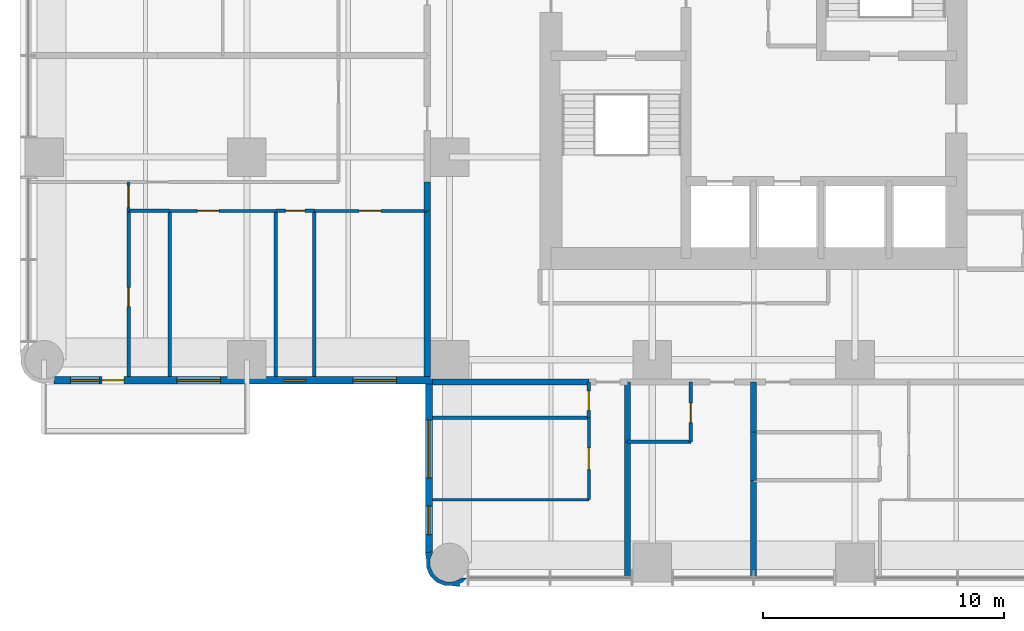
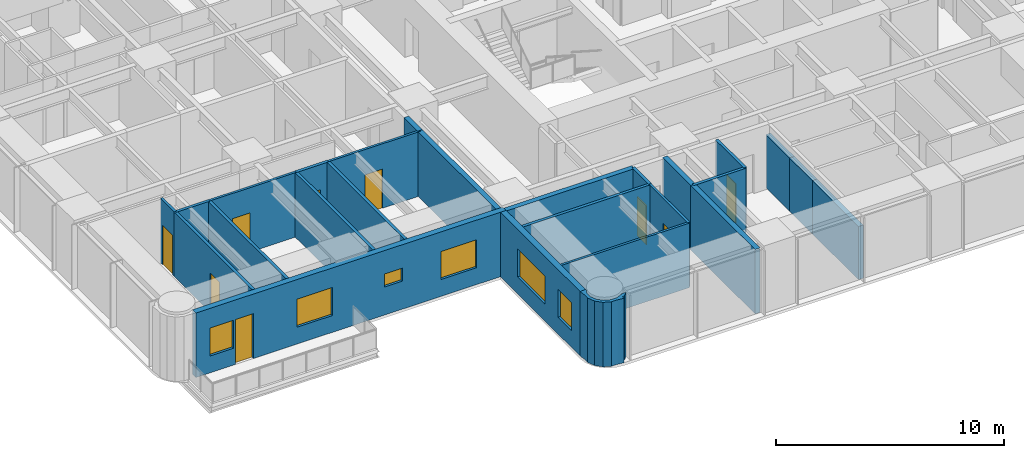
# One storey, part 6 of 14: 26 walls, 9 doors, 6 windows, 15 openings.
"""IFC4 building model written with IfcOpenShell, lengths in metres."""

from ifc_helpers import new_model, si_unit, direction, frame, frame_2d, origin, place, context, subcontext, project, spatial, polyline, rectangle, outline, extrude, material, layer, layer_set, type_object, element, fill, save


model = new_model("IFC4")

# Units and contexts
model_context = context("Model", 3, precision=1e-05, world=origin(), true_north=direction((0.0, 1.0)))
body_context = subcontext(model_context, "Body", "Model", "MODEL_VIEW")
ifc_project = project(units=[si_unit("LENGTHUNIT", "METRE"), si_unit("AREAUNIT", "SQUARE_METRE"), si_unit("VOLUMEUNIT", "CUBIC_METRE"), si_unit("PLANEANGLEUNIT", "RADIAN"), si_unit("MASSUNIT", "GRAM", prefix="KILO")], contexts=[model_context])

# Site, building, storey
site_placement = place(None, origin())
site = spatial("IfcSite", under=ifc_project, at=site_placement, CompositionType="ELEMENT")
building_placement = place(site_placement, origin())
building = spatial("IfcBuilding", under=site, at=building_placement, Name="Torre Alcanfor", CompositionType="ELEMENT")
storey_placement = place(building_placement, frame((0.0, 0.0, 166.5)))
storey = spatial("IfcBuildingStorey", under=building, at=storey_placement, Name="L43", CompositionType="ELEMENT", Elevation=166.5)

# Walls
ifc_material_1 = material(Name="Concrete block masonry, hollow blocks NMX-C-404 9 MPa", Category="masonry")
ifc_layer_1 = layer(ifc_material_1, 0.25)
ifc_layer_set_1 = layer_set([ifc_layer_1], Name="Apartment entrance wall 250 EI 60")
wall_type_1 = type_object("IfcWallType", Name="Apartment entrance wall 250 EI 60", PredefinedType="PARTITIONING", material=ifc_layer_set_1)
wall_1_placement = place(storey_placement, frame((22.571044921875, 15.875, 0.0), z_axis=(0.0, 0.0, 1.0), x_axis=(-1.0, 0.0, 0.0)))
element("IfcWall", 1, at=wall_1_placement, inside=storey, type_object=wall_type_1, Name="Partition L43-CORR / L43-S2B-BATH", PredefinedType="PARTITIONING", context=body_context, shape_type="SweptSolid", body=[
    extrude(rectangle(XDim=6.470947265625, YDim=0.25, at=frame_2d((3.2353515625, 0.0))), origin(), (0.0, 0.0, 1.0), 3.449951171875),
])
wall_2_placement = place(storey_placement, frame((15.875, 22.970947265625, 0.0), z_axis=(0.0, 0.0, 1.0), x_axis=(0.0, 1.0, 0.0)))
element("IfcWall", 2, at=wall_2_placement, inside=storey, type_object=wall_type_1, Name="Partition L43-CORR / L43-W1-HALL", PredefinedType="PARTITIONING", context=body_context, shape_type="SweptSolid", body=[
    extrude(rectangle(XDim=1.199951171875, YDim=0.25, at=frame_2d((0.60009765625, 0.0))), origin(), (0.0, 0.0, 1.0), 3.449951171875),
])
wall_3_placement = place(storey_placement, frame((15.875, 16.10009765625, 0.0), z_axis=(0.0, 0.0, 1.0), x_axis=(0.0, 1.0, 0.0)))
element("IfcWall", 3, at=wall_3_placement, inside=storey, type_object=wall_type_1, Name="Partition L43-CORR / L43-W1-BED3", PredefinedType="PARTITIONING", context=body_context, shape_type="SweptSolid", body=[
    extrude(rectangle(XDim=6.870849609375, YDim=0.25, at=frame_2d((3.435546875, 0.0))), origin(), (0.0, 0.0, 1.0), 3.449951171875),
])
ifc_material_2 = material(Name="Gypsum board on steel studs", Category="steel")
ifc_layer_2 = layer(ifc_material_2, 0.1201171875)
ifc_layer_set_2 = layer_set([ifc_layer_2], Name="Apartment partition 120")
wall_type_2 = type_object("IfcWallType", Name="Apartment partition 120", PredefinedType="PARTITIONING", material=ifc_layer_set_2)
wall_4_placement = place(storey_placement, frame((16.10009765625, 11.0, 0.0), z_axis=(0.0, 0.0, 1.0), x_axis=(1.0, 0.0, 0.0)))
element("IfcWall", 4, at=wall_4_placement, inside=storey, type_object=wall_type_2, Name="Partition L43-S2B-LIVING / L43-S2B-MASTER", PredefinedType="PARTITIONING", context=body_context, shape_type="SweptSolid", body=[
    extrude(rectangle(XDim=6.470947265625, YDim=0.1201171875, at=frame_2d((3.2353515625, 0.0))), origin(), (0.0, 0.0, 1.0), 3.449951171875),
])

# Wall, opening, door
wall_5_placement = place(storey_placement, frame((22.571044921875, 11.0, 0.0), z_axis=(0.0, 0.0, 1.0), x_axis=(0.0, 1.0, 0.0)))
wall_5 = element("IfcWall", 5, at=wall_5_placement, inside=storey, type_object=wall_type_2, Name="Partition L43-S2B-LIVING / L43-S2B-MASTER", PredefinedType="PARTITIONING", context=body_context, shape_type="SweptSolid", body=[
    extrude(rectangle(XDim=3.39990234375, YDim=0.1201171875, at=frame_2d((1.699951171875, 0.0))), origin(), (0.0, 0.0, 1.0), 3.449951171875),
])
opening_1_placement = place(wall_5_placement, frame((1.25, 0.0, 0.0)))
opening_1 = element("IfcOpeningElement", 6, at=opening_1_placement, cuts=wall_5, Name="Opening D-R1", PredefinedType="OPENING", context=body_context, shape_type="SweptSolid", body=[
    extrude(rectangle(XDim=0.89990234375, YDim=2.10009765625, at=frame_2d((0.449951171875, 1.050048828125))), frame((0.0, 0.070068359375, 0.0), z_axis=(0.0, -1.0, 0.0), x_axis=(1.0, 0.0, 0.0)), (0.0, 0.0, 1.0), 0.14013671875),
])
ifc_material_3 = material(Name="Timber", Category="wood")
door_type_1 = type_object("IfcDoorType", Name="Internal door 900x2100", OperationType="SINGLE_SWING_LEFT", PredefinedType="DOOR", material=ifc_material_3)
door_1_placement = place(opening_1_placement, origin())
door_1 = element("IfcDoor", 7, at=door_1_placement, inside=storey, type_object=door_type_1, Name="Door L43-S2B master", OperationType="SINGLE_SWING_LEFT", OverallHeight=2.10009765625, OverallWidth=0.89990234375, PredefinedType="DOOR", context=body_context, shape_type="SweptSolid", body=[
    extrude(rectangle(XDim=0.89990234375, YDim=2.10009765625, at=frame_2d((0.449951171875, 1.050048828125))), frame((0.0, 0.02490234375, 0.0), z_axis=(0.0, -1.0, 0.0), x_axis=(1.0, 0.0, 0.0)), (0.0, 0.0, 1.0), 0.050048828125),
])
fill(opening_1, door_1)

wall_6_placement = place(storey_placement, frame((11.199951171875, 22.970947265625, 0.0), z_axis=(0.0, 0.0, 1.0), x_axis=(1.0, 0.0, 0.0)))
wall_6 = element("IfcWall", 8, at=wall_6_placement, inside=storey, type_object=wall_type_2, Name="Partition L43-W1-HALL / L43-W1-BED3", PredefinedType="PARTITIONING", context=body_context, shape_type="SweptSolid", body=[
    extrude(rectangle(XDim=4.675048828125, YDim=0.1201171875, at=frame_2d((2.33740234375, 0.0))), origin(), (0.0, 0.0, 1.0), 3.449951171875),
])
opening_2_placement = place(wall_6_placement, frame((1.85009765625, 0.0, 0.0)))
opening_2 = element("IfcOpeningElement", 9, at=opening_2_placement, cuts=wall_6, Name="Opening D-R1", PredefinedType="OPENING", context=body_context, shape_type="SweptSolid", body=[
    extrude(rectangle(XDim=0.89990234375, YDim=2.10009765625, at=frame_2d((0.449951171875, 1.050048828125))), frame((0.0, 0.070068359375, 0.0), z_axis=(0.0, -1.0, 0.0), x_axis=(1.0, 0.0, 0.0)), (0.0, 0.0, 1.0), 0.14013671875),
])
door_2_placement = place(opening_2_placement, frame((0.89990234375, 0.0, 0.0), z_axis=(0.0, 0.0, 1.0), x_axis=(-1.0, 0.0, 0.0)))
door_2 = element("IfcDoor", 10, at=door_2_placement, inside=storey, type_object=door_type_1, Name="Door L43-W1 bed3", OperationType="SINGLE_SWING_RIGHT", OverallHeight=2.10009765625, OverallWidth=0.89990234375, PredefinedType="DOOR", context=body_context, shape_type="SweptSolid", body=[
    extrude(rectangle(XDim=0.89990234375, YDim=2.10009765625, at=frame_2d((0.449951171875, 1.050048828125))), frame((0.0, 0.025146484375, 0.0), z_axis=(0.0, -1.0, 0.0), x_axis=(1.0, 0.0, 0.0)), (0.0, 0.0, 1.0), 0.050048828125),
])
fill(opening_2, door_2)

wall_7_placement = place(storey_placement, frame((5.199951171875, 22.970947265625, 0.0), z_axis=(0.0, 0.0, 1.0), x_axis=(1.0, 0.0, 0.0)))
wall_7 = element("IfcWall", 11, at=wall_7_placement, inside=storey, type_object=wall_type_2, Name="Partition L43-W1-HALL / L43-W1-BED2", PredefinedType="PARTITIONING", context=body_context, shape_type="SweptSolid", body=[
    extrude(rectangle(XDim=4.400146484375, YDim=0.1201171875, at=frame_2d((2.2001953125, 0.0))), origin(), (0.0, 0.0, 1.0), 3.449951171875),
])
opening_3_placement = place(wall_7_placement, frame((1.14990234375, 0.0, 0.0)))
opening_3 = element("IfcOpeningElement", 12, at=opening_3_placement, cuts=wall_7, Name="Opening D-R1", PredefinedType="OPENING", context=body_context, shape_type="SweptSolid", body=[
    extrude(rectangle(XDim=0.89990234375, YDim=2.10009765625, at=frame_2d((0.449951171875, 1.050048828125))), frame((0.0, 0.070068359375, 0.0), z_axis=(0.0, -1.0, 0.0), x_axis=(1.0, 0.0, 0.0)), (0.0, 0.0, 1.0), 0.14013671875),
])
door_3_placement = place(opening_3_placement, frame((0.89990234375, 0.0, 0.0), z_axis=(0.0, 0.0, 1.0), x_axis=(-1.0, 0.0, 0.0)))
door_3 = element("IfcDoor", 13, at=door_3_placement, inside=storey, type_object=door_type_1, Name="Door L43-W1 bed2", OperationType="SINGLE_SWING_RIGHT", OverallHeight=2.10009765625, OverallWidth=0.89990234375, PredefinedType="DOOR", context=body_context, shape_type="SweptSolid", body=[
    extrude(rectangle(XDim=0.89990234375, YDim=2.10009765625, at=frame_2d((0.449951171875, 1.050048828125))), frame((0.0, 0.025146484375, 0.0), z_axis=(0.0, -1.0, 0.0), x_axis=(1.0, 0.0, 0.0)), (0.0, 0.0, 1.0), 0.050048828125),
])
fill(opening_3, door_3)

wall_8_placement = place(storey_placement, frame((3.5, 24.1708984375, 0.0), z_axis=(0.0, 0.0, 1.0), x_axis=(0.0, -1.0, 0.0)))
wall_8 = element("IfcWall", 14, at=wall_8_placement, inside=storey, type_object=wall_type_2, Name="Partition L43-W1-HALL / L43-W1-MASTER", PredefinedType="PARTITIONING", context=body_context, shape_type="SweptSolid", body=[
    extrude(rectangle(XDim=1.199951171875, YDim=0.1201171875, at=frame_2d((0.60009765625, 0.0))), origin(), (0.0, 0.0, 1.0), 3.449951171875),
])
opening_4_placement = place(wall_8_placement, frame((0.15087890625, 0.0, 0.0)))
opening_4 = element("IfcOpeningElement", 15, at=opening_4_placement, cuts=wall_8, Name="Opening D-R1", PredefinedType="OPENING", context=body_context, shape_type="SweptSolid", body=[
    extrude(rectangle(XDim=0.89990234375, YDim=2.10009765625, at=frame_2d((0.449951171875, 1.050048828125))), frame((0.0, 0.070068359375, 0.0), z_axis=(0.0, -1.0, 0.0), x_axis=(1.0, 0.0, 0.0)), (0.0, 0.0, 1.0), 0.14013671875),
])
door_4_placement = place(opening_4_placement, frame((0.89990234375, 0.0, 0.0), z_axis=(0.0, 0.0, 1.0), x_axis=(-1.0, 0.0, 0.0)))
door_4 = element("IfcDoor", 16, at=door_4_placement, inside=storey, type_object=door_type_1, Name="Door L43-W1 master", OperationType="SINGLE_SWING_RIGHT", OverallHeight=2.10009765625, OverallWidth=0.89990234375, PredefinedType="DOOR", context=body_context, shape_type="SweptSolid", body=[
    extrude(rectangle(XDim=0.89990234375, YDim=2.10009765625, at=frame_2d((0.449951171875, 1.050048828125))), frame((0.0, 0.025146484375, 0.0), z_axis=(0.0, -1.0, 0.0), x_axis=(1.0, 0.0, 0.0)), (0.0, 0.0, 1.0), 0.050048828125),
])
fill(opening_4, door_4)

# Wall, openings, door, windows
ifc_material_4 = material(Name="Limestone cladding", Category="masonry")
ifc_layer_3 = layer(ifc_material_4, 0.0400390625, Name="Facing")
ifc_material_5 = material(Name="Ventilated air cavity")
ifc_layer_4 = layer(ifc_material_5, 0.02001953125, ventilated=True, Name="Ventilated joint")
ifc_material_6 = material(Name="Mineral wool insulation", Category="insulation")
ifc_layer_5 = layer(ifc_material_6, 0.10009765625, Name="Insulation")
ifc_material_7 = material(Name="Concrete f'c 35 MPa", Category="concrete")
ifc_layer_6 = layer(ifc_material_7, 0.139892578125, Name="Backing")
ifc_layer_set_3 = layer_set([ifc_layer_3, ifc_layer_4, ifc_layer_5, ifc_layer_6], Name="External wall stone-clad 300")
wall_type_3 = type_object("IfcWallType", Name="External wall stone-clad 300", PredefinedType="SOLIDWALL", material=ifc_layer_set_3)
wall_9_placement = place(storey_placement, frame((0.39990234375, 15.949951171875, 0.0), z_axis=(0.0, 0.0, 1.0), x_axis=(1.0, 0.0, 0.0)))
wall_9 = element("IfcWall", 17, at=wall_9_placement, inside=storey, type_object=wall_type_3, Name="External wall L43 3", PredefinedType="SOLIDWALL", context=body_context, shape_type="SweptSolid", body=[
    extrude(rectangle(XDim=15.7001953125, YDim=0.300048828125, at=frame_2d((7.85009765625, 0.0))), origin(), (0.0, 0.0, 1.0), 3.449951171875),
])
opening_5_placement = place(wall_9_placement, frame((12.39990234375, 0.0, 0.89990234375)))
opening_5 = element("IfcOpeningElement", 18, at=opening_5_placement, cuts=wall_9, Name="Opening W2", PredefinedType="OPENING", context=body_context, shape_type="SweptSolid", body=[
    extrude(rectangle(XDim=1.800048828125, YDim=1.5, at=frame_2d((0.89990234375, 0.75))), frame((0.0, 0.159912109375, 0.0), z_axis=(0.0, -1.0, 0.0), x_axis=(1.0, 0.0, 0.0)), (0.0, 0.0, 1.0), 0.320068359375),
])
opening_6_placement = place(wall_9_placement, frame((9.550048828125, 0.0, 1.5)))
opening_6 = element("IfcOpeningElement", 19, at=opening_6_placement, cuts=wall_9, Name="Opening W3", PredefinedType="OPENING", context=body_context, shape_type="SweptSolid", body=[
    extrude(rectangle(XDim=0.89990234375, YDim=0.699951171875, at=frame_2d((0.449951171875, 0.35009765625))), frame((0.0, 0.159912109375, 0.0), z_axis=(0.0, -1.0, 0.0), x_axis=(1.0, 0.0, 0.0)), (0.0, 0.0, 1.0), 0.320068359375),
])
opening_7_placement = place(wall_9_placement, frame((5.10009765625, 0.0, 0.89990234375)))
opening_7 = element("IfcOpeningElement", 20, at=opening_7_placement, cuts=wall_9, Name="Opening W2", PredefinedType="OPENING", context=body_context, shape_type="SweptSolid", body=[
    extrude(rectangle(XDim=1.800048828125, YDim=1.5, at=frame_2d((0.89990234375, 0.75))), frame((0.0, 0.159912109375, 0.0), z_axis=(0.0, -1.0, 0.0), x_axis=(1.0, 0.0, 0.0)), (0.0, 0.0, 1.0), 0.320068359375),
])
opening_8_placement = place(wall_9_placement, frame((2.0, 0.0, 0.0)))
opening_8 = element("IfcOpeningElement", 21, at=opening_8_placement, cuts=wall_9, Name="Opening D-B1", PredefinedType="OPENING", context=body_context, shape_type="SweptSolid", body=[
    extrude(rectangle(XDim=0.89990234375, YDim=2.39990234375, at=frame_2d((0.449951171875, 1.199951171875))), frame((0.0, 0.159912109375, 0.0), z_axis=(0.0, -1.0, 0.0), x_axis=(1.0, 0.0, 0.0)), (0.0, 0.0, 1.0), 0.320068359375),
])
opening_9_placement = place(wall_9_placement, frame((0.699951171875, 0.0, 0.89990234375)))
opening_9 = element("IfcOpeningElement", 22, at=opening_9_placement, cuts=wall_9, Name="Opening W4", PredefinedType="OPENING", context=body_context, shape_type="SweptSolid", body=[
    extrude(rectangle(XDim=1.199951171875, YDim=1.5, at=frame_2d((0.60009765625, 0.75))), frame((0.0, 0.159912109375, 0.0), z_axis=(0.0, -1.0, 0.0), x_axis=(1.0, 0.0, 0.0)), (0.0, 0.0, 1.0), 0.320068359375),
])
ifc_material_8 = material(Name="Aluminium and glass", Category="aluminium")
door_type_2 = type_object("IfcDoorType", Name="Balcony door glazed 900x2400", OperationType="SINGLE_SWING_LEFT", PredefinedType="DOOR", material=ifc_material_8)
door_5_placement = place(opening_8_placement, origin())
door_5 = element("IfcDoor", 23, at=door_5_placement, inside=storey, type_object=door_type_2, Name="Balcony door L43-W1", OperationType="SINGLE_SWING_RIGHT", OverallHeight=2.39990234375, OverallWidth=0.89990234375, PredefinedType="DOOR", context=body_context, shape_type="SweptSolid", body=[
    extrude(rectangle(XDim=0.89990234375, YDim=2.39990234375, at=frame_2d((0.449951171875, 1.199951171875))), frame((0.0, 0.02490234375, 0.0), z_axis=(0.0, -1.0, 0.0), x_axis=(1.0, 0.0, 0.0)), (0.0, 0.0, 1.0), 0.050048828125),
])
fill(opening_8, door_5)
ifc_material_9 = material(Name="Aluminium frame with clear double glazing", Category="aluminium")
window_type_1 = type_object("IfcWindowType", Name="Window bathroom 900x700", PartitioningType="SINGLE_PANEL", PredefinedType="WINDOW", material=ifc_material_9)
window_1_placement = place(opening_6_placement, origin())
window_1 = element("IfcWindow", 24, at=window_1_placement, inside=storey, type_object=window_type_1, Name="Window W3 L43-W1", OverallHeight=0.699951171875, OverallWidth=0.89990234375, PartitioningType="SINGLE_PANEL", PredefinedType="WINDOW", context=body_context, shape_type="SweptSolid", body=[
    extrude(rectangle(XDim=0.89990234375, YDim=0.699951171875, at=frame_2d((0.449951171875, 0.35009765625))), frame((0.0, 0.030029296875, 0.0), z_axis=(0.0, -1.0, 0.0), x_axis=(1.0, 0.0, 0.0)), (0.0, 0.0, 1.0), 0.06005859375),
])
fill(opening_6, window_1)
ifc_material_10 = material(Name="Aluminium frame with clear double glazing", Category="aluminium")
window_type_2 = type_object("IfcWindowType", Name="Window bedroom 1200x1500", PartitioningType="SINGLE_PANEL", PredefinedType="WINDOW", material=ifc_material_10)
window_2_placement = place(opening_9_placement, origin())
window_2 = element("IfcWindow", 25, at=window_2_placement, inside=storey, type_object=window_type_2, Name="Window W4 L43-W1", OverallHeight=1.5, OverallWidth=1.199951171875, PartitioningType="SINGLE_PANEL", PredefinedType="WINDOW", context=body_context, shape_type="SweptSolid", body=[
    extrude(rectangle(XDim=1.199951171875, YDim=1.5, at=frame_2d((0.60009765625, 0.75))), frame((0.0, 0.030029296875, 0.0), z_axis=(0.0, -1.0, 0.0), x_axis=(1.0, 0.0, 0.0)), (0.0, 0.0, 1.0), 0.06005859375),
])
fill(opening_9, window_2)
ifc_material_11 = material(Name="Aluminium frame with clear double glazing", Category="aluminium")
window_type_3 = type_object("IfcWindowType", Name="Window bedroom 1800x1500", PartitioningType="SINGLE_PANEL", PredefinedType="WINDOW", material=ifc_material_11)
window_3_placement = place(opening_5_placement, origin())
window_3 = element("IfcWindow", 26, at=window_3_placement, inside=storey, type_object=window_type_3, Name="Window W2 L43-W1", OverallHeight=1.5, OverallWidth=1.800048828125, PartitioningType="SINGLE_PANEL", PredefinedType="WINDOW", context=body_context, shape_type="SweptSolid", body=[
    extrude(rectangle(XDim=1.800048828125, YDim=1.5, at=frame_2d((0.89990234375, 0.75))), frame((0.0, 0.030029296875, 0.0), z_axis=(0.0, -1.0, 0.0), x_axis=(1.0, 0.0, 0.0)), (0.0, 0.0, 1.0), 0.06005859375),
])
fill(opening_5, window_3)
window_4_placement = place(opening_7_placement, origin())
window_4 = element("IfcWindow", 27, at=window_4_placement, inside=storey, type_object=window_type_3, Name="Window W2 L43-W1", OverallHeight=1.5, OverallWidth=1.800048828125, PartitioningType="SINGLE_PANEL", PredefinedType="WINDOW", context=body_context, shape_type="SweptSolid", body=[
    extrude(rectangle(XDim=1.800048828125, YDim=1.5, at=frame_2d((0.89990234375, 0.75))), frame((0.0, 0.030029296875, 0.0), z_axis=(0.0, -1.0, 0.0), x_axis=(1.0, 0.0, 0.0)), (0.0, 0.0, 1.0), 0.06005859375),
])
fill(opening_7, window_4)

# Wall, openings, windows
wall_10_placement = place(storey_placement, frame((15.949951171875, 15.800048828125, 0.0), z_axis=(0.0, 0.0, 1.0), x_axis=(0.0, -1.0, 0.0)))
wall_10 = element("IfcWall", 28, at=wall_10_placement, inside=storey, type_object=wall_type_3, Name="External wall L43 4", PredefinedType="SOLIDWALL", context=body_context, shape_type="SweptSolid", body=[
    extrude(rectangle(XDim=7.0, YDim=0.300048828125, at=frame_2d((3.5, 0.0))), origin(), (0.0, 0.0, 1.0), 3.449951171875),
])
opening_10_placement = place(wall_10_placement, frame((1.5, 0.0, 0.89990234375)))
opening_10 = element("IfcOpeningElement", 29, at=opening_10_placement, cuts=wall_10, Name="Opening W1", PredefinedType="OPENING", context=body_context, shape_type="SweptSolid", body=[
    extrude(rectangle(XDim=2.39990234375, YDim=1.5, at=frame_2d((1.199951171875, 0.75))), frame((0.0, 0.159912109375, 0.0), z_axis=(0.0, -1.0, 0.0), x_axis=(1.0, 0.0, 0.0)), (0.0, 0.0, 1.0), 0.320068359375),
])
opening_11_placement = place(wall_10_placement, frame((5.050048828125, 0.0, 0.89990234375)))
opening_11 = element("IfcOpeningElement", 30, at=opening_11_placement, cuts=wall_10, Name="Opening W4", PredefinedType="OPENING", context=body_context, shape_type="SweptSolid", body=[
    extrude(rectangle(XDim=1.199951171875, YDim=1.5, at=frame_2d((0.60009765625, 0.75))), frame((0.0, 0.159912109375, 0.0), z_axis=(0.0, -1.0, 0.0), x_axis=(1.0, 0.0, 0.0)), (0.0, 0.0, 1.0), 0.320068359375),
])
window_5_placement = place(opening_11_placement, origin())
window_5 = element("IfcWindow", 31, at=window_5_placement, inside=storey, type_object=window_type_2, Name="Window W4 L43-S2", OverallHeight=1.5, OverallWidth=1.199951171875, PartitioningType="SINGLE_PANEL", PredefinedType="WINDOW", context=body_context, shape_type="SweptSolid", body=[
    extrude(rectangle(XDim=1.199951171875, YDim=1.5, at=frame_2d((0.60009765625, 0.75))), frame((0.0, 0.030029296875, 0.0), z_axis=(0.0, -1.0, 0.0), x_axis=(1.0, 0.0, 0.0)), (0.0, 0.0, 1.0), 0.06005859375),
])
fill(opening_11, window_5)
ifc_material_12 = material(Name="Aluminium frame with clear double glazing", Category="aluminium")
window_type_4 = type_object("IfcWindowType", Name="Window bedroom 2400x1500", PartitioningType="SINGLE_PANEL", PredefinedType="WINDOW", material=ifc_material_12)
window_6_placement = place(opening_10_placement, origin())
window_6 = element("IfcWindow", 32, at=window_6_placement, inside=storey, type_object=window_type_4, Name="Window W1 L43-S2", OverallHeight=1.5, OverallWidth=2.39990234375, PartitioningType="SINGLE_PANEL", PredefinedType="WINDOW", context=body_context, shape_type="SweptSolid", body=[
    extrude(rectangle(XDim=2.39990234375, YDim=1.5, at=frame_2d((1.199951171875, 0.75))), frame((0.0, 0.030029296875, 0.0), z_axis=(0.0, -1.0, 0.0), x_axis=(1.0, 0.0, 0.0)), (0.0, 0.0, 1.0), 0.06005859375),
])
fill(opening_10, window_6)

# Walls
ifc_material_13 = material(Name="Concrete block masonry, hollow blocks NMX-C-404 9 MPa", Category="masonry")
ifc_layer_7 = layer(ifc_material_13, 0.25)
ifc_layer_set_4 = layer_set([ifc_layer_7], Name="Party wall 250 EI 60")
wall_type_4 = type_object("IfcWallType", Name="Party wall 250 EI 60", PredefinedType="PARTITIONING", material=ifc_layer_set_4)
wall_11_placement = place(storey_placement, frame((29.39990234375, 13.800048828125, 0.0), z_axis=(0.0, 0.0, 1.0), x_axis=(0.0, -1.0, 0.0)))
element("IfcWall", 33, at=wall_11_placement, inside=storey, type_object=wall_type_4, Name="Partition L43-S1-BATH / L43-S2A-STUDIO", PredefinedType="PARTITIONING", context=body_context, shape_type="SweptSolid", body=[
    extrude(rectangle(XDim=2.0, YDim=0.25, at=frame_2d((1.0, 0.0))), origin(), (0.0, 0.0, 1.0), 2.847900390625),
])
wall_12_placement = place(storey_placement, frame((29.39990234375, 7.75, 0.0), z_axis=(0.0, 0.0, 1.0), x_axis=(0.0, 1.0, 0.0)))
element("IfcWall", 34, at=wall_12_placement, inside=storey, type_object=wall_type_4, Name="Partition L43-S1-LIVING / L43-S2A-STUDIO", PredefinedType="PARTITIONING", context=body_context, shape_type="SweptSolid", body=[
    extrude(rectangle(XDim=4.050048828125, YDim=0.25, at=frame_2d((2.02490234375, 0.0))), origin(), (0.0, 0.0, 1.0), 2.847900390625),
])
wall_13_placement = place(storey_placement, frame((29.39990234375, 13.800048828125, 0.0), z_axis=(0.0, 0.0, 1.0), x_axis=(0.0, 1.0, 0.0)))
element("IfcWall", 35, at=wall_13_placement, inside=storey, type_object=wall_type_4, Name="Partition L43-S1-LIVING / L43-S2A-STUDIO", PredefinedType="PARTITIONING", context=body_context, shape_type="SweptSolid", body=[
    extrude(rectangle(XDim=2.074951171875, YDim=0.25, at=frame_2d((1.03759765625, 0.0))), origin(), (0.0, 0.0, 1.0), 2.847900390625),
])
wall_14_placement = place(storey_placement, frame((24.1708984375, 7.75, 0.0), z_axis=(0.0, 0.0, 1.0), x_axis=(0.0, 1.0, 0.0)))
element("IfcWall", 36, at=wall_14_placement, inside=storey, type_object=wall_type_4, Name="Partition L43-S2A-STUDIO / L43-S2B-LIVING", PredefinedType="PARTITIONING", context=body_context, shape_type="SweptSolid", body=[
    extrude(rectangle(XDim=5.64990234375, YDim=0.25, at=frame_2d((2.824951171875, 0.0))), origin(), (0.0, 0.0, 1.0), 3.449951171875),
])
wall_15_placement = place(storey_placement, frame((24.1708984375, 13.39990234375, 0.0), z_axis=(0.0, 0.0, 1.0), x_axis=(0.0, 1.0, 0.0)))
element("IfcWall", 37, at=wall_15_placement, inside=storey, type_object=wall_type_4, Name="Partition L43-S2A-BATH / L43-S2B-LIVING", PredefinedType="PARTITIONING", context=body_context, shape_type="SweptSolid", body=[
    extrude(rectangle(XDim=2.47509765625, YDim=0.25, at=frame_2d((1.237548828125, 0.0))), origin(), (0.0, 0.0, 1.0), 3.449951171875),
])
ifc_layer_8 = layer(ifc_material_4, 0.0400390625, Name="Facing")
ifc_layer_9 = layer(ifc_material_5, 0.02001953125, ventilated=True, Name="Ventilated joint")
ifc_layer_10 = layer(ifc_material_6, 0.10009765625, Name="Insulation")
ifc_layer_11 = layer(ifc_material_7, 0.139892578125, Name="Backing")
ifc_layer_set_5 = layer_set([ifc_layer_8, ifc_layer_9, ifc_layer_10, ifc_layer_11], Name="Rounded corner pier stone-clad 300")
wall_type_5 = type_object("IfcWallType", Name="Rounded corner pier stone-clad 300", PredefinedType="SOLIDWALL", material=ifc_layer_set_5)
wall_16_placement = place(storey_placement, frame((15.982940512, 8.726823795, 0.0), z_axis=(0.0, 0.0, 1.0), x_axis=(-0.343276641956, -0.93923434088, 0.0)))
element("IfcWall", 38, at=wall_16_placement, inside=storey, type_object=wall_type_5, Name="Corner pier L43 15", PredefinedType="SOLIDWALL", context=body_context, shape_type="SweptSolid", body=[
    extrude(outline(polyline([(0.8285188621172053, 1.5985593448955209), (0.6965961152022397, 1.5690588556644411), (0.6041961706613557, 1.669674810951586), (0.3940973255728224, 1.767303623446145), (0.47128428534856764, 1.55611347990365), (0.5085447362659081, 1.5387992791780876), (0.7240402358503313, 1.3040772160031127), (0.8334093808094493, 1.0048338530031606), (0.8200582319080854, 0.6864716314609828), (0.6857640531711582, 0.3974683020769049), (0.4510419899961833, 0.18197280249248177), (0.15179862699623123, 0.07260365753336384), (-0.11622928371084919, 0.08407628105020303), (-0.1273371975026375, 0.0781969477675098), (-0.14614022874094865, 0.07132471030647711), (-0.0059930226407584886, -0.19691459363495123), (0.26574754989690047, -0.054967852634112954), (0.535410534485363, 0.043590089489965705), (0.8166395849446566, 0.30181686768145743), (0.9775598034528271, 0.6481198820896807), (0.9938114202888776, 1.0296668379252687), (0.8951696703908839, 1.299559127772735), (0.8285188621172053, 1.5985593448955209)])), origin(), (0.0, 0.0, 1.0), 3.449951171875),
])
ifc_material_14 = material(Name="Cement board on steel studs", Category="steel")
ifc_layer_12 = layer(ifc_material_14, 0.14990234375)
ifc_layer_set_6 = layer_set([ifc_layer_12], Name="Wet area partition 150")
wall_type_6 = type_object("IfcWallType", Name="Wet area partition 150", PredefinedType="PARTITIONING", material=ifc_layer_set_6)
wall_17_placement = place(storey_placement, frame((24.1708984375, 13.39990234375, 0.0), z_axis=(0.0, 0.0, 1.0), x_axis=(1.0, 0.0, 0.0)))
element("IfcWall", 39, at=wall_17_placement, inside=storey, type_object=wall_type_6, Name="Partition L43-S2A-STUDIO / L43-S2A-BATH", PredefinedType="PARTITIONING", context=body_context, shape_type="SweptSolid", body=[
    extrude(rectangle(XDim=2.629150390625, YDim=0.14990234375, at=frame_2d((1.314453125, 0.0))), origin(), (0.0, 0.0, 1.0), 3.449951171875),
])

# Wall, opening, door
wall_18_placement = place(storey_placement, frame((26.800048828125, 13.39990234375, 0.0), z_axis=(0.0, 0.0, 1.0), x_axis=(0.0, 1.0, 0.0)))
wall_18 = element("IfcWall", 40, at=wall_18_placement, inside=storey, type_object=wall_type_6, Name="Partition L43-S2A-STUDIO / L43-S2A-BATH", PredefinedType="PARTITIONING", context=body_context, shape_type="SweptSolid", body=[
    extrude(rectangle(XDim=2.47509765625, YDim=0.14990234375, at=frame_2d((1.237548828125, 0.0))), origin(), (0.0, 0.0, 1.0), 3.449951171875),
])
opening_12_placement = place(wall_18_placement, frame((0.800048828125, 0.0, 0.0)))
opening_12 = element("IfcOpeningElement", 41, at=opening_12_placement, cuts=wall_18, Name="Opening D-R2", PredefinedType="OPENING", context=body_context, shape_type="SweptSolid", body=[
    extrude(rectangle(XDim=0.800048828125, YDim=2.10009765625, at=frame_2d((0.39990234375, 1.050048828125))), frame((0.0, 0.0849609375, 0.0), z_axis=(0.0, -1.0, 0.0), x_axis=(1.0, 0.0, 0.0)), (0.0, 0.0, 1.0), 0.169921875),
])
ifc_material_15 = material(Name="Timber", Category="wood")
door_type_3 = type_object("IfcDoorType", Name="Bathroom door 800x2100", OperationType="SINGLE_SWING_LEFT", PredefinedType="DOOR", material=ifc_material_15)
door_6_placement = place(opening_12_placement, origin())
door_6 = element("IfcDoor", 42, at=door_6_placement, inside=storey, type_object=door_type_3, Name="Door L43-S2A bath", OperationType="SINGLE_SWING_LEFT", OverallHeight=2.10009765625, OverallWidth=0.800048828125, PredefinedType="DOOR", context=body_context, shape_type="SweptSolid", body=[
    extrude(rectangle(XDim=0.800048828125, YDim=2.10009765625, at=frame_2d((0.39990234375, 1.050048828125))), frame((0.0, 0.02490234375, 0.0), z_axis=(0.0, -1.0, 0.0), x_axis=(1.0, 0.0, 0.0)), (0.0, 0.0, 1.0), 0.050048828125),
])
fill(opening_12, door_6)

wall_19_placement = place(storey_placement, frame((22.571044921875, 14.39990234375, 0.0), z_axis=(0.0, 0.0, 1.0), x_axis=(0.0, 1.0, 0.0)))
wall_19 = element("IfcWall", 43, at=wall_19_placement, inside=storey, type_object=wall_type_6, Name="Partition L43-S2B-LIVING / L43-S2B-BATH", PredefinedType="PARTITIONING", context=body_context, shape_type="SweptSolid", body=[
    extrude(rectangle(XDim=1.47509765625, YDim=0.14990234375, at=frame_2d((0.737548828125, 0.0))), origin(), (0.0, 0.0, 1.0), 3.449951171875),
])
opening_13_placement = place(wall_19_placement, frame((0.300048828125, 0.0, 0.0)))
opening_13 = element("IfcOpeningElement", 44, at=opening_13_placement, cuts=wall_19, Name="Opening D-R2", PredefinedType="OPENING", context=body_context, shape_type="SweptSolid", body=[
    extrude(rectangle(XDim=0.800048828125, YDim=2.10009765625, at=frame_2d((0.39990234375, 1.050048828125))), frame((0.0, 0.0849609375, 0.0), z_axis=(0.0, -1.0, 0.0), x_axis=(1.0, 0.0, 0.0)), (0.0, 0.0, 1.0), 0.169921875),
])
door_7_placement = place(opening_13_placement, origin())
door_7 = element("IfcDoor", 45, at=door_7_placement, inside=storey, type_object=door_type_3, Name="Door L43-S2B bath", OperationType="SINGLE_SWING_LEFT", OverallHeight=2.10009765625, OverallWidth=0.800048828125, PredefinedType="DOOR", context=body_context, shape_type="SweptSolid", body=[
    extrude(rectangle(XDim=0.800048828125, YDim=2.10009765625, at=frame_2d((0.39990234375, 1.050048828125))), frame((0.0, 0.02490234375, 0.0), z_axis=(0.0, -1.0, 0.0), x_axis=(1.0, 0.0, 0.0)), (0.0, 0.0, 1.0), 0.050048828125),
])
fill(opening_13, door_7)

# Wall
wall_20_placement = place(storey_placement, frame((22.571044921875, 14.39990234375, 0.0), z_axis=(0.0, 0.0, 1.0), x_axis=(-1.0, 0.0, 0.0)))
element("IfcWall", 46, at=wall_20_placement, inside=storey, type_object=wall_type_6, Name="Partition L43-S2B-BATH / L43-S2B-MASTER", PredefinedType="PARTITIONING", context=body_context, shape_type="SweptSolid", body=[
    extrude(rectangle(XDim=6.470947265625, YDim=0.14990234375, at=frame_2d((3.2353515625, 0.0))), origin(), (0.0, 0.0, 1.0), 3.449951171875),
])

# Wall, opening, door
wall_21_placement = place(storey_placement, frame((9.60009765625, 22.970947265625, 0.0), z_axis=(0.0, 0.0, 1.0), x_axis=(1.0, 0.0, 0.0)))
wall_21 = element("IfcWall", 47, at=wall_21_placement, inside=storey, type_object=wall_type_6, Name="Partition L43-W1-HALL / L43-W1-BATH1", PredefinedType="PARTITIONING", context=body_context, shape_type="SweptSolid", body=[
    extrude(rectangle(XDim=1.599853515625, YDim=0.14990234375, at=frame_2d((0.7998046875, 0.0))), origin(), (0.0, 0.0, 1.0), 3.449951171875),
])
opening_14_placement = place(wall_21_placement, frame((0.39990234375, 0.0, 0.0)))
opening_14 = element("IfcOpeningElement", 48, at=opening_14_placement, cuts=wall_21, Name="Opening D-R2", PredefinedType="OPENING", context=body_context, shape_type="SweptSolid", body=[
    extrude(rectangle(XDim=0.800048828125, YDim=2.10009765625, at=frame_2d((0.39990234375, 1.050048828125))), frame((0.0, 0.0849609375, 0.0), z_axis=(0.0, -1.0, 0.0), x_axis=(1.0, 0.0, 0.0)), (0.0, 0.0, 1.0), 0.169921875),
])
door_8_placement = place(opening_14_placement, frame((0.800048828125, 0.0, 0.0), z_axis=(0.0, 0.0, 1.0), x_axis=(-1.0, 0.0, 0.0)))
door_8 = element("IfcDoor", 49, at=door_8_placement, inside=storey, type_object=door_type_3, Name="Door L43-W1 bath1", OperationType="SINGLE_SWING_RIGHT", OverallHeight=2.10009765625, OverallWidth=0.800048828125, PredefinedType="DOOR", context=body_context, shape_type="SweptSolid", body=[
    extrude(rectangle(XDim=0.800048828125, YDim=2.10009765625, at=frame_2d((0.400146484375, 1.050048828125))), frame((0.0, 0.025146484375, 0.0), z_axis=(0.0, -1.0, 0.0), x_axis=(1.0, 0.0, 0.0)), (0.0, 0.0, 1.0), 0.050048828125),
])
fill(opening_14, door_8)

# Walls
wall_22_placement = place(storey_placement, frame((3.5, 22.970947265625, 0.0), z_axis=(0.0, 0.0, 1.0), x_axis=(1.0, 0.0, 0.0)))
element("IfcWall", 50, at=wall_22_placement, inside=storey, type_object=wall_type_6, Name="Partition L43-W1-HALL / L43-W1-ENSBATH", PredefinedType="PARTITIONING", context=body_context, shape_type="SweptSolid", body=[
    extrude(rectangle(XDim=1.699951171875, YDim=0.14990234375, at=frame_2d((0.85009765625, 0.0))), origin(), (0.0, 0.0, 1.0), 3.449951171875),
])
for number, where, z_axis, x_axis, name in (
    (51, (11.199951171875, 22.970947265625, 0.0), (0.0, 0.0, 1.0), (0.0, -1.0, 0.0), "Partition L43-W1-BED3 / L43-W1-BATH1"),
    (52, (9.60009765625, 22.970947265625, 0.0), (0.0, 0.0, 1.0), (0.0, -1.0, 0.0), "Partition L43-W1-BATH1 / L43-W1-BED2"),
    (53, (5.199951171875, 22.970947265625, 0.0), (0.0, 0.0, 1.0), (0.0, -1.0, 0.0), "Partition L43-W1-BED2 / L43-W1-ENSBATH"),
):
    element("IfcWall", number, at=place(storey_placement, frame(where, z_axis=z_axis, x_axis=x_axis)), inside=storey, type_object=wall_type_6, Name=name, PredefinedType="PARTITIONING", context=body_context, shape_type="SweptSolid", body=[
        extrude(rectangle(XDim=6.870849609375, YDim=0.14990234375, at=frame_2d((3.435546875, 0.0))), origin(), (0.0, 0.0, 1.0), 3.449951171875),
    ])

# Wall, opening, door
wall_23_placement = place(storey_placement, frame((3.5, 22.970947265625, 0.0), z_axis=(0.0, 0.0, 1.0), x_axis=(0.0, -1.0, 0.0)))
wall_23 = element("IfcWall", 54, at=wall_23_placement, inside=storey, type_object=wall_type_6, Name="Partition L43-W1-ENSBATH / L43-W1-MASTER", PredefinedType="PARTITIONING", context=body_context, shape_type="SweptSolid", body=[
    extrude(rectangle(XDim=6.870849609375, YDim=0.14990234375, at=frame_2d((3.435546875, 0.0))), origin(), (0.0, 0.0, 1.0), 3.449951171875),
])
opening_15_placement = place(wall_23_placement, frame((3.1708984375, 0.0, 0.0)))
opening_15 = element("IfcOpeningElement", 55, at=opening_15_placement, cuts=wall_23, Name="Opening D-R2", PredefinedType="OPENING", context=body_context, shape_type="SweptSolid", body=[
    extrude(rectangle(XDim=0.800048828125, YDim=2.10009765625, at=frame_2d((0.39990234375, 1.050048828125))), frame((0.0, 0.0849609375, 0.0), z_axis=(0.0, -1.0, 0.0), x_axis=(1.0, 0.0, 0.0)), (0.0, 0.0, 1.0), 0.169921875),
])
door_9_placement = place(opening_15_placement, origin())
door_9 = element("IfcDoor", 56, at=door_9_placement, inside=storey, type_object=door_type_3, Name="Door L43-W1 ensbath", OperationType="SINGLE_SWING_RIGHT", OverallHeight=2.10009765625, OverallWidth=0.800048828125, PredefinedType="DOOR", context=body_context, shape_type="SweptSolid", body=[
    extrude(rectangle(XDim=0.800048828125, YDim=2.10009765625, at=frame_2d((0.39990234375, 1.050048828125))), frame((0.0, 0.02490234375, 0.0), z_axis=(0.0, -1.0, 0.0), x_axis=(1.0, 0.0, 0.0)), (0.0, 0.0, 1.0), 0.050048828125),
])
fill(opening_15, door_9)

save(model, "model.ifc")
